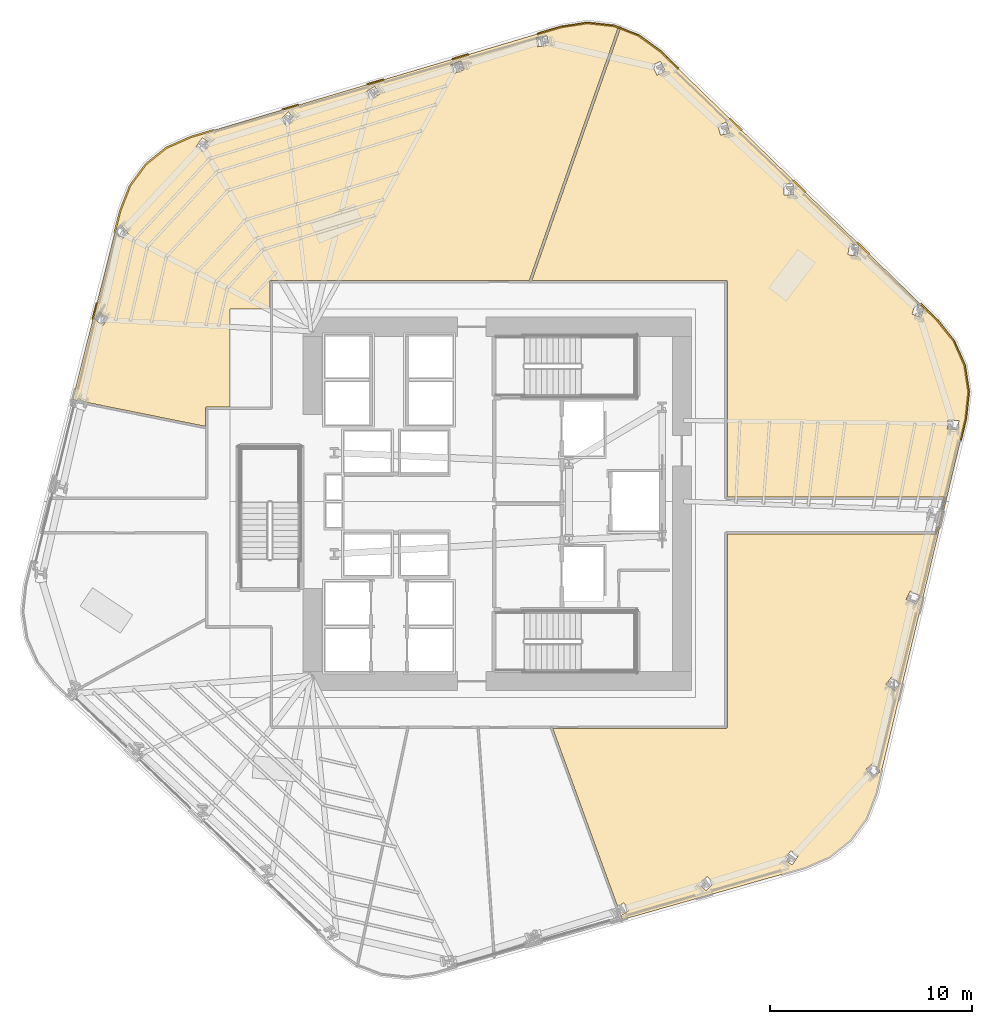
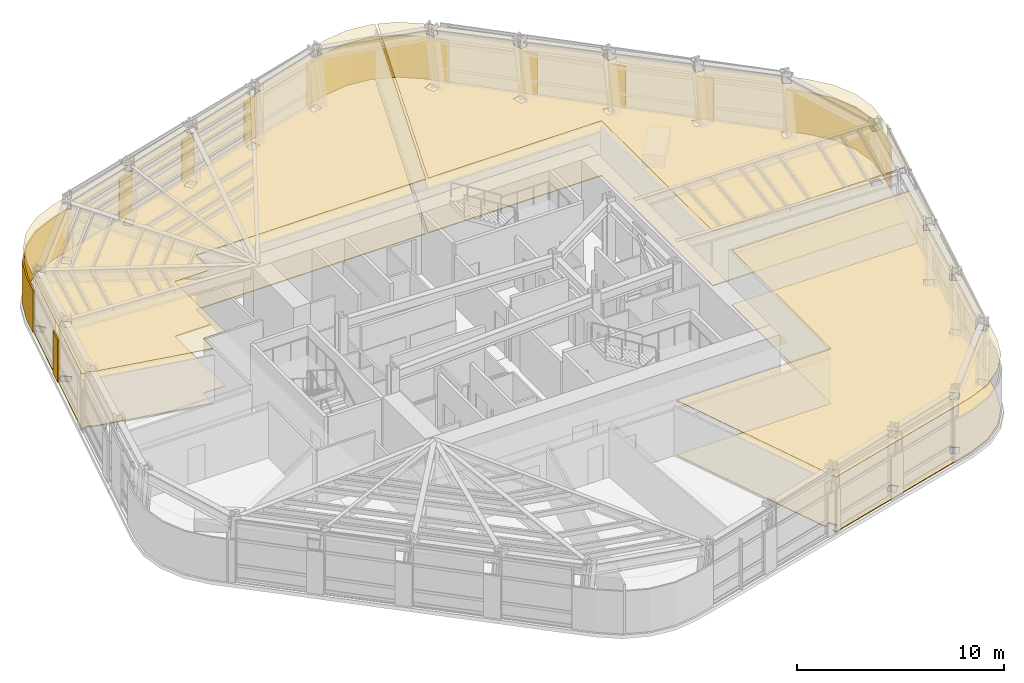
# One storey, part 14 of 15: 14 coverings.
"""IFC4 building model written with IfcOpenShell, lengths in metres."""

from ifc_helpers import new_model, si_unit, direction, frame, origin, place, context, subcontext, project, spatial, polyline, outline, extrude, material, layer, layer_set, type_object, element, save


model = new_model("IFC4")

# Units and contexts
model_context = context("Model", 3, precision=1e-05, world=origin(), true_north=direction((0.0, 1.0)))
body_context = subcontext(model_context, "Body", "Model", "MODEL_VIEW")
ifc_project = project(units=[si_unit("LENGTHUNIT", "METRE"), si_unit("AREAUNIT", "SQUARE_METRE"), si_unit("VOLUMEUNIT", "CUBIC_METRE"), si_unit("PLANEANGLEUNIT", "RADIAN"), si_unit("MASSUNIT", "GRAM", prefix="KILO")], contexts=[model_context])

# Site, building, storey
site_placement = place(None, origin())
site = spatial("IfcSite", under=ifc_project, at=site_placement, CompositionType="ELEMENT")
building_placement = place(site_placement, origin())
building = spatial("IfcBuilding", under=site, at=building_placement, Name="Valkerne Bourse Tower", CompositionType="ELEMENT")
storey_placement = place(building_placement, frame((0.0, 0.0, 93.39990234375)))
storey = spatial("IfcBuildingStorey", under=building, at=storey_placement, Name="L23", CompositionType="ELEMENT", Elevation=93.39990234375)

# Coverings
ifc_material_1 = material(Name="Mineral Fiber Acoustic Ceiling Tile", Category="acoustic")
ifc_layer_1 = layer(ifc_material_1, 0.02490234375)
ifc_layer_set_1 = layer_set([ifc_layer_1], Name="Mineral Fiber Acoustic Ceiling Tile")
covering_type_1 = type_object("IfcCoveringType", Name="COV-CEIL-ACT", PredefinedType="CEILING", material=ifc_layer_set_1)
covering_1_placement = place(storey_placement, frame((0.0, 0.0, 3.22998046875)))
element("IfcCovering", 1, at=covering_1_placement, inside=storey, type_object=covering_type_1, Name="L23 Suspended Ceiling 07", PredefinedType="CEILING", context=body_context, shape_type="SweptSolid", body=[
    extrude(outline(polyline([(29.44140625, 43.646240234375), (30.47119140625, 44.47119140625), (31.688720703125, 45.005615234375), (49.9453125, 50.435791015625), (51.258544921875, 50.636962890625), (52.5703125, 50.4921875), (52.77587890625, 50.411865234375), (48.386962890625, 37.9189453125), (35.6494140625, 37.9189453125), (35.619873046875, 37.912109375), (35.591064453125, 37.885986328125), (35.5810546875, 37.8505859375), (35.5810546875, 36.5), (33.60009765625, 36.5), (33.60009765625, 31.667724609375), (32.4326171875, 31.6669921875), (32.394775390625, 31.6416015625), (32.381103515625, 31.6044921875), (32.381103515625, 30.706787109375), (26.46630859375, 31.900146484375), (26.11865234375, 32.078125), (26.068359375, 31.98046875), (25.826416015625, 32.029296875), (27.91796875, 40.316162109375), (28.234375, 39.943359375), (28.576416015625, 40.232666015625), (28.57861328125, 40.2353515625), (28.229736328125, 40.64599609375), (27.939208984375, 40.400390625), (28.17724609375, 41.343994140625), (28.660400390625, 42.582763671875), (29.44140625, 43.646240234375)]), holes=[polyline([(27.59521484375, 36.031494140625), (27.175537109375, 36.369384765625), (26.893798828125, 36.020751953125), (26.892333984375, 36.017822265625), (27.31201171875, 35.679931640625), (27.593994140625, 36.028564453125), (27.59521484375, 36.031494140625)]), polyline([(32.599609375, 44.705078125), (32.2294921875, 44.9609375), (32.226806640625, 44.958740234375), (31.9228515625, 44.5166015625), (32.29296875, 44.2607421875), (32.295654296875, 44.262939453125), (32.599609375, 44.705078125)]), polyline([(36.42138671875, 45.541748046875), (36.803466796875, 45.919189453125), (36.48779296875, 46.23974609375), (36.485107421875, 46.23828125), (36.103271484375, 45.86083984375), (36.418701171875, 45.540283203125), (36.42138671875, 45.541748046875)]), polyline([(40.543212890625, 46.834716796875), (40.994140625, 47.12646484375), (40.75048828125, 47.504638671875), (40.74755859375, 47.50390625), (40.296630859375, 47.2119140625), (40.540283203125, 46.833984375), (40.543212890625, 46.834716796875)]), polyline([(45.170166015625, 48.335693359375), (45.0087890625, 48.755615234375), (45.005615234375, 48.755126953125), (44.5048828125, 48.561279296875), (44.666259765625, 48.1416015625), (44.66943359375, 48.141845703125), (45.170166015625, 48.335693359375)]), polyline([(49.25537109375, 49.9970703125), (49.252197265625, 49.997314453125), (48.72412109375, 49.901123046875), (48.8037109375, 49.45849609375), (48.806884765625, 49.4580078125), (49.3349609375, 49.55419921875), (49.25537109375, 49.9970703125)])]), origin(), (0.0, 0.0, 1.0), 0.025146484375),
])
covering_2_placement = place(storey_placement, frame((0.0, 0.0, 3.22998046875)))
element("IfcCovering", 2, at=covering_2_placement, inside=storey, type_object=covering_type_1, Name="L23 Suspended Ceiling 08", PredefinedType="CEILING", context=body_context, shape_type="SweptSolid", body=[
    extrude(outline(polyline([(63.229736328125, 9.431884765625), (62.01318359375, 8.897705078125), (52.98388671875, 6.336669921875), (52.911865234375, 6.53466796875), (53.30322265625, 6.7880859375), (53.0595703125, 7.166015625), (53.056640625, 7.165283203125), (52.75390625, 6.96923828125), (49.54638671875, 15.781005859375), (58.1005859375, 15.781005859375), (58.135009765625, 15.790283203125), (58.15966796875, 15.81494140625), (58.1689453125, 15.849609375), (58.1689453125, 25.381103515625), (68.47412109375, 25.381591796875), (68.509033203125, 25.398193359375), (68.5302734375, 25.433349609375), (68.938232421875, 27.143798828125), (68.935302734375, 27.1708984375), (68.921142578125, 27.19580078125), (68.899169921875, 27.21240234375), (68.869873046875, 27.218994140625), (58.1689453125, 27.218994140625), (58.1689453125, 37.8505859375), (58.15185546875, 37.895751953125), (58.12890625, 37.91259765625), (58.100341796875, 37.9189453125), (48.511962890625, 37.9189453125), (52.8857421875, 50.368896484375), (53.799560546875, 50.0126953125), (54.870361328125, 49.22607421875), (67.833740234375, 36.635498046875), (67.4765625, 36.7626953125), (67.294189453125, 36.2568359375), (67.29541015625, 36.25390625), (67.718505859375, 36.103271484375), (67.890625, 36.580322265625), (68.53369140625, 35.955810546875), (69.364990234375, 34.918212890625), (69.895263671875, 33.709716796875), (70.094970703125, 32.405517578125), (69.94921875, 31.083984375), (65.5234375, 12.55810546875), (65.040771484375, 11.3203125), (64.259521484375, 10.2568359375), (63.229736328125, 9.431884765625)]), holes=[polyline([(54.871337890625, 48.735595703125), (54.8681640625, 48.73681640625), (54.463134765625, 48.543212890625), (54.69287109375, 48.05712890625), (54.69580078125, 48.055908203125), (55.10107421875, 48.24951171875), (54.871337890625, 48.735595703125)]), polyline([(57.114990234375, 7.76171875), (57.496826171875, 8.13916015625), (57.181396484375, 8.459716796875), (57.178466796875, 8.458251953125), (56.796630859375, 8.080810546875), (57.1123046875, 7.76025390625), (57.114990234375, 7.76171875)]), polyline([(61.373046875, 9.041259765625), (61.677001953125, 9.4833984375), (61.306884765625, 9.7392578125), (61.304443359375, 9.737060546875), (61.00048828125, 9.294921875), (61.37060546875, 9.0390625), (61.373046875, 9.041259765625)]), polyline([(65.71435546875, 13.64599609375), (65.36572265625, 14.056640625), (65.0234375, 13.767333984375), (65.021484375, 13.7646484375), (65.3701171875, 13.35400390625), (65.71240234375, 13.643310546875), (65.71435546875, 13.64599609375)]), polyline([(66.70751953125, 17.982177734375), (66.287841796875, 18.320068359375), (66.006103515625, 17.971435546875), (66.0048828125, 17.968505859375), (66.42431640625, 17.630615234375), (66.706298828125, 17.979248046875), (66.70751953125, 17.982177734375)]), polyline([(67.68701171875, 22.323486328125), (67.20751953125, 22.569091796875), (67.00244140625, 22.17041015625), (67.001708984375, 22.167236328125), (67.4814453125, 21.921875), (67.686279296875, 22.320556640625), (67.68701171875, 22.323486328125)]), polyline([(69.607177734375, 30.9892578125), (69.070068359375, 31.03173828125), (69.033935546875, 30.585205078125), (69.034423828125, 30.581787109375), (69.571533203125, 30.539306640625), (69.60791015625, 30.986083984375), (69.607177734375, 30.9892578125)]), polyline([(64.65869140625, 39.65380859375), (64.65673828125, 39.656494140625), (64.212890625, 39.72509765625), (64.128662109375, 39.19384765625), (64.130615234375, 39.19140625), (64.574462890625, 39.122802734375), (64.65869140625, 39.65380859375)]), polyline([(61.40234375, 42.69384765625), (61.400146484375, 42.69580078125), (60.95166015625, 42.6728515625), (60.977294921875, 42.135498046875), (60.9794921875, 42.133544921875), (61.427978515625, 42.156494140625), (61.40234375, 42.69384765625)]), polyline([(58.271484375, 45.201416015625), (58.13720703125, 45.72216796875), (58.134521484375, 45.7236328125), (57.7001953125, 45.60986328125), (57.83447265625, 45.089111328125), (57.837158203125, 45.08740234375), (58.271484375, 45.201416015625)])]), origin(), (0.0, 0.0, 1.0), 0.025146484375),
])
ifc_material_2 = material(Name="Bronze Anodised Aluminium AA 6063-T6", Category="aluminium")
ifc_layer_2 = layer(ifc_material_2, 0.06005859375)
ifc_layer_set_2 = layer_set([ifc_layer_2], Name="Bronze Anodised Aluminium AA 6063-T6")
covering_type_2 = type_object("IfcCoveringType", Name="COV-CRN-ALUM", PredefinedType="CLADDING", material=ifc_layer_set_2)
covering_3_placement = place(storey_placement, origin())
element("IfcCovering", 3, at=covering_3_placement, inside=storey, type_object=covering_type_2, Name="L23 Wind-Shaped Corner Aluminium Cladding 12", PredefinedType="CLADDING", context=body_context, shape_type="SweptSolid", body=[
    extrude(outline(polyline([(26.988037109375, 36.81201171875), (27.06591796875, 36.79296875), (26.8603515625, 35.978515625), (26.78271484375, 35.99755859375), (26.988037109375, 36.81201171875)])), origin(), (0.0, 0.0, 1.0), 2.5),
])
covering_4_placement = place(storey_placement, origin())
element("IfcCovering", 4, at=covering_4_placement, inside=storey, type_object=covering_type_2, Name="L23 Wind-Shaped Corner Aluminium Cladding 13", PredefinedType="CLADDING", context=body_context, shape_type="SweptSolid", body=[
    extrude(outline(polyline([(28.13525390625, 41.357421875), (28.621337890625, 42.604248046875), (29.409423828125, 43.677001953125), (30.4482421875, 44.50927734375), (31.673583984375, 45.047119140625), (32.77099609375, 45.37353515625), (32.793212890625, 45.296630859375), (31.701171875, 44.971923828125), (30.489990234375, 44.440185546875), (29.467529296875, 43.62109375), (28.692138671875, 42.565185546875), (28.211669921875, 41.3330078125), (27.932861328125, 40.228271484375), (27.855224609375, 40.247314453125), (28.13525390625, 41.357421875)])), origin(), (0.0, 0.0, 1.0), 2.5),
])
covering_5_placement = place(storey_placement, origin())
element("IfcCovering", 5, at=covering_5_placement, inside=storey, type_object=covering_type_2, Name="L23 Wind-Shaped Corner Aluminium Cladding 14", PredefinedType="CLADDING", context=body_context, shape_type="SweptSolid", body=[
    extrude(outline(polyline([(36.97216796875, 46.623046875), (36.994384765625, 46.54638671875), (36.189208984375, 46.306884765625), (36.1669921875, 46.383544921875), (36.97216796875, 46.623046875)])), origin(), (0.0, 0.0, 1.0), 2.5),
])
covering_6_placement = place(storey_placement, origin())
element("IfcCovering", 6, at=covering_6_placement, inside=storey, type_object=covering_type_2, Name="L23 Wind-Shaped Corner Aluminium Cladding 15", PredefinedType="CLADDING", context=body_context, shape_type="SweptSolid", body=[
    extrude(outline(polyline([(41.17333984375, 47.872802734375), (41.195556640625, 47.7958984375), (40.390380859375, 47.556396484375), (40.3681640625, 47.63330078125), (41.17333984375, 47.872802734375)])), origin(), (0.0, 0.0, 1.0), 2.5),
])
covering_7_placement = place(storey_placement, origin())
element("IfcCovering", 7, at=covering_7_placement, inside=storey, type_object=covering_type_2, Name="L23 Wind-Shaped Corner Aluminium Cladding 16", PredefinedType="CLADDING", context=body_context, shape_type="SweptSolid", body=[
    extrude(outline(polyline([(45.37451171875, 49.122314453125), (45.39697265625, 49.04541015625), (44.591552734375, 48.805908203125), (44.5693359375, 48.8828125), (45.37451171875, 49.122314453125)])), origin(), (0.0, 0.0, 1.0), 2.5),
])
covering_8_placement = place(storey_placement, origin())
element("IfcCovering", 8, at=covering_8_placement, inside=storey, type_object=covering_type_2, Name="L23 Wind-Shaped Corner Aluminium Cladding 17", PredefinedType="CLADDING", context=body_context, shape_type="SweptSolid", body=[
    extrude(outline(polyline([(49.935546875, 50.47900390625), (51.2578125, 50.681396484375), (52.580810546875, 50.53515625), (53.821044921875, 50.051513671875), (54.89892578125, 49.259765625), (55.77099609375, 48.412841796875), (55.715576171875, 48.35498046875), (54.84716796875, 49.198486328125), (53.781982421875, 49.98095703125), (52.5615234375, 50.456787109375), (51.259521484375, 50.6005859375), (49.953125, 50.400634765625), (48.792724609375, 50.055419921875), (48.7705078125, 50.13232421875), (49.935546875, 50.47900390625)])), origin(), (0.0, 0.0, 1.0), 2.5),
])
covering_9_placement = place(storey_placement, origin())
element("IfcCovering", 9, at=covering_9_placement, inside=storey, type_object=covering_type_2, Name="L23 Wind-Shaped Corner Aluminium Cladding 18", PredefinedType="CLADDING", context=body_context, shape_type="SweptSolid", body=[
    extrude(outline(polyline([(58.9150390625, 45.359130859375), (58.859619140625, 45.301513671875), (58.257080078125, 45.88671875), (58.3125, 45.9443359375), (58.9150390625, 45.359130859375)])), origin(), (0.0, 0.0, 1.0), 2.5),
])
covering_10_placement = place(storey_placement, origin())
element("IfcCovering", 10, at=covering_10_placement, inside=storey, type_object=covering_type_2, Name="L23 Wind-Shaped Corner Aluminium Cladding 19", PredefinedType="CLADDING", context=body_context, shape_type="SweptSolid", body=[
    extrude(outline(polyline([(62.05908203125, 42.305419921875), (62.00390625, 42.24755859375), (61.401123046875, 42.8330078125), (61.45654296875, 42.890625), (62.05908203125, 42.305419921875)])), origin(), (0.0, 0.0, 1.0), 2.5),
])
covering_11_placement = place(storey_placement, origin())
element("IfcCovering", 11, at=covering_11_placement, inside=storey, type_object=covering_type_2, Name="L23 Wind-Shaped Corner Aluminium Cladding 20", PredefinedType="CLADDING", context=body_context, shape_type="SweptSolid", body=[
    extrude(outline(polyline([(65.203369140625, 39.25146484375), (65.14794921875, 39.19384765625), (64.54541015625, 39.779052734375), (64.600830078125, 39.8369140625), (65.203369140625, 39.25146484375)])), origin(), (0.0, 0.0, 1.0), 2.5),
])
covering_12_placement = place(storey_placement, origin())
element("IfcCovering", 12, at=covering_12_placement, inside=storey, type_object=covering_type_2, Name="L23 Wind-Shaped Corner Aluminium Cladding 21", PredefinedType="CLADDING", context=body_context, shape_type="SweptSolid", body=[
    extrude(outline(polyline([(68.56640625, 35.9853515625), (69.40283203125, 34.941162109375), (69.93798828125, 33.72216796875), (70.139404296875, 32.406494140625), (69.992431640625, 31.076416015625), (69.7265625, 29.962646484375), (69.648681640625, 29.981689453125), (69.91357421875, 31.090087890625), (70.05859375, 32.40478515625), (69.860595703125, 33.69970703125), (69.333984375, 34.8994140625), (68.507080078125, 35.931396484375), (67.689697265625, 36.725341796875), (67.7451171875, 36.782958984375), (68.56640625, 35.9853515625)])), origin(), (0.0, 0.0, 1.0), 2.5),
])
ifc_material_3 = material(Name="Galvanised Painted Steel", Category="steel")
ifc_layer_3 = layer(ifc_material_3, 0.044921875)
ifc_layer_set_3 = layer_set([ifc_layer_3], Name="Galvanised Painted Steel")
covering_type_3 = type_object("IfcCoveringType", Name="COV-FLR-RAF", PredefinedType="FLOORING", material=ifc_layer_set_3)
covering_13_placement = place(storey_placement, origin())
element("IfcCovering", 13, at=covering_13_placement, inside=storey, type_object=covering_type_3, Name="L23 Floor Finish 07", PredefinedType="FLOORING", context=body_context, shape_type="SweptSolid", body=[
    extrude(outline(polyline([(29.44140625, 43.646240234375), (30.47119140625, 44.47119140625), (31.688720703125, 45.005615234375), (49.9453125, 50.435791015625), (51.258544921875, 50.636962890625), (52.5703125, 50.4921875), (52.77587890625, 50.411865234375), (48.386962890625, 37.9189453125), (35.6494140625, 37.9189453125), (35.619873046875, 37.912109375), (35.591064453125, 37.885986328125), (35.5810546875, 37.8505859375), (35.5810546875, 36.5), (33.60009765625, 36.5), (33.60009765625, 31.667724609375), (32.4326171875, 31.6669921875), (32.394775390625, 31.6416015625), (32.381103515625, 31.6044921875), (32.381103515625, 30.706787109375), (26.46630859375, 31.900146484375), (26.11865234375, 32.078125), (26.068359375, 31.98046875), (25.826416015625, 32.029296875), (27.91796875, 40.316162109375), (28.234375, 39.943359375), (28.576416015625, 40.232666015625), (28.57861328125, 40.2353515625), (28.229736328125, 40.64599609375), (27.939208984375, 40.400390625), (28.17724609375, 41.343994140625), (28.660400390625, 42.582763671875), (29.44140625, 43.646240234375)]), holes=[polyline([(27.59521484375, 36.031494140625), (27.175537109375, 36.369384765625), (26.893798828125, 36.020751953125), (26.892333984375, 36.017822265625), (27.31201171875, 35.679931640625), (27.593994140625, 36.028564453125), (27.59521484375, 36.031494140625)]), polyline([(32.599609375, 44.705078125), (32.2294921875, 44.9609375), (32.226806640625, 44.958740234375), (31.9228515625, 44.5166015625), (32.29296875, 44.2607421875), (32.295654296875, 44.262939453125), (32.599609375, 44.705078125)]), polyline([(36.42138671875, 45.541748046875), (36.803466796875, 45.919189453125), (36.48779296875, 46.23974609375), (36.485107421875, 46.23828125), (36.103271484375, 45.86083984375), (36.418701171875, 45.540283203125), (36.42138671875, 45.541748046875)]), polyline([(40.543212890625, 46.834716796875), (40.994140625, 47.12646484375), (40.75048828125, 47.504638671875), (40.74755859375, 47.50390625), (40.296630859375, 47.2119140625), (40.540283203125, 46.833984375), (40.543212890625, 46.834716796875)]), polyline([(45.170166015625, 48.335693359375), (45.0087890625, 48.755615234375), (45.005615234375, 48.755126953125), (44.5048828125, 48.561279296875), (44.666259765625, 48.1416015625), (44.66943359375, 48.141845703125), (45.170166015625, 48.335693359375)]), polyline([(49.25537109375, 49.9970703125), (49.252197265625, 49.997314453125), (48.72412109375, 49.901123046875), (48.8037109375, 49.45849609375), (48.806884765625, 49.4580078125), (49.3349609375, 49.55419921875), (49.25537109375, 49.9970703125)])]), origin(), (0.0, 0.0, 1.0), 0.045166015625),
])
covering_14_placement = place(storey_placement, origin())
element("IfcCovering", 14, at=covering_14_placement, inside=storey, type_object=covering_type_3, Name="L23 Floor Finish 08", PredefinedType="FLOORING", context=body_context, shape_type="SweptSolid", body=[
    extrude(outline(polyline([(63.229736328125, 9.431884765625), (62.01318359375, 8.897705078125), (52.98388671875, 6.336669921875), (52.911865234375, 6.53466796875), (53.30322265625, 6.7880859375), (53.0595703125, 7.166015625), (53.056640625, 7.165283203125), (52.75390625, 6.96923828125), (49.54638671875, 15.781005859375), (58.1005859375, 15.781005859375), (58.135009765625, 15.790283203125), (58.15966796875, 15.81494140625), (58.1689453125, 15.849609375), (58.1689453125, 25.381103515625), (68.47412109375, 25.381591796875), (68.509033203125, 25.398193359375), (68.5302734375, 25.433349609375), (68.938232421875, 27.143798828125), (68.935302734375, 27.1708984375), (68.921142578125, 27.19580078125), (68.899169921875, 27.21240234375), (68.869873046875, 27.218994140625), (58.1689453125, 27.218994140625), (58.1689453125, 37.8505859375), (58.15185546875, 37.895751953125), (58.12890625, 37.91259765625), (58.100341796875, 37.9189453125), (48.511962890625, 37.9189453125), (52.8857421875, 50.368896484375), (53.799560546875, 50.0126953125), (54.870361328125, 49.22607421875), (67.833740234375, 36.635498046875), (67.4765625, 36.7626953125), (67.294189453125, 36.2568359375), (67.29541015625, 36.25390625), (67.718505859375, 36.103271484375), (67.890625, 36.580322265625), (68.53369140625, 35.955810546875), (69.364990234375, 34.918212890625), (69.895263671875, 33.709716796875), (70.094970703125, 32.405517578125), (69.94921875, 31.083984375), (65.5234375, 12.55810546875), (65.040771484375, 11.3203125), (64.259521484375, 10.2568359375), (63.229736328125, 9.431884765625)]), holes=[polyline([(54.871337890625, 48.735595703125), (54.8681640625, 48.73681640625), (54.463134765625, 48.543212890625), (54.69287109375, 48.05712890625), (54.69580078125, 48.055908203125), (55.10107421875, 48.24951171875), (54.871337890625, 48.735595703125)]), polyline([(57.114990234375, 7.76171875), (57.496826171875, 8.13916015625), (57.181396484375, 8.459716796875), (57.178466796875, 8.458251953125), (56.796630859375, 8.080810546875), (57.1123046875, 7.76025390625), (57.114990234375, 7.76171875)]), polyline([(61.373046875, 9.041259765625), (61.677001953125, 9.4833984375), (61.306884765625, 9.7392578125), (61.304443359375, 9.737060546875), (61.00048828125, 9.294921875), (61.37060546875, 9.0390625), (61.373046875, 9.041259765625)]), polyline([(65.71435546875, 13.64599609375), (65.36572265625, 14.056640625), (65.0234375, 13.767333984375), (65.021484375, 13.7646484375), (65.3701171875, 13.35400390625), (65.71240234375, 13.643310546875), (65.71435546875, 13.64599609375)]), polyline([(66.70751953125, 17.982177734375), (66.287841796875, 18.320068359375), (66.006103515625, 17.971435546875), (66.0048828125, 17.968505859375), (66.42431640625, 17.630615234375), (66.706298828125, 17.979248046875), (66.70751953125, 17.982177734375)]), polyline([(67.68701171875, 22.323486328125), (67.20751953125, 22.569091796875), (67.00244140625, 22.17041015625), (67.001708984375, 22.167236328125), (67.4814453125, 21.921875), (67.686279296875, 22.320556640625), (67.68701171875, 22.323486328125)]), polyline([(69.607177734375, 30.9892578125), (69.070068359375, 31.03173828125), (69.033935546875, 30.585205078125), (69.034423828125, 30.581787109375), (69.571533203125, 30.539306640625), (69.60791015625, 30.986083984375), (69.607177734375, 30.9892578125)]), polyline([(64.65869140625, 39.65380859375), (64.65673828125, 39.656494140625), (64.212890625, 39.72509765625), (64.128662109375, 39.19384765625), (64.130615234375, 39.19140625), (64.574462890625, 39.122802734375), (64.65869140625, 39.65380859375)]), polyline([(61.40234375, 42.69384765625), (61.400146484375, 42.69580078125), (60.95166015625, 42.6728515625), (60.977294921875, 42.135498046875), (60.9794921875, 42.133544921875), (61.427978515625, 42.156494140625), (61.40234375, 42.69384765625)]), polyline([(58.271484375, 45.201416015625), (58.13720703125, 45.72216796875), (58.134521484375, 45.7236328125), (57.7001953125, 45.60986328125), (57.83447265625, 45.089111328125), (57.837158203125, 45.08740234375), (58.271484375, 45.201416015625)])]), origin(), (0.0, 0.0, 1.0), 0.045166015625),
])

save(model, "model.ifc")
